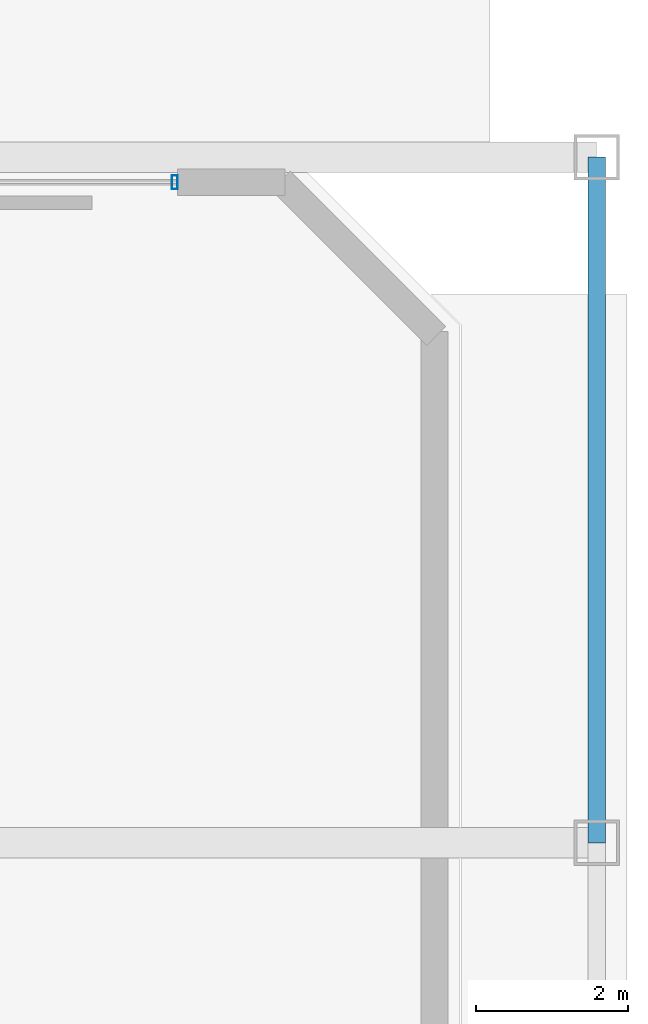
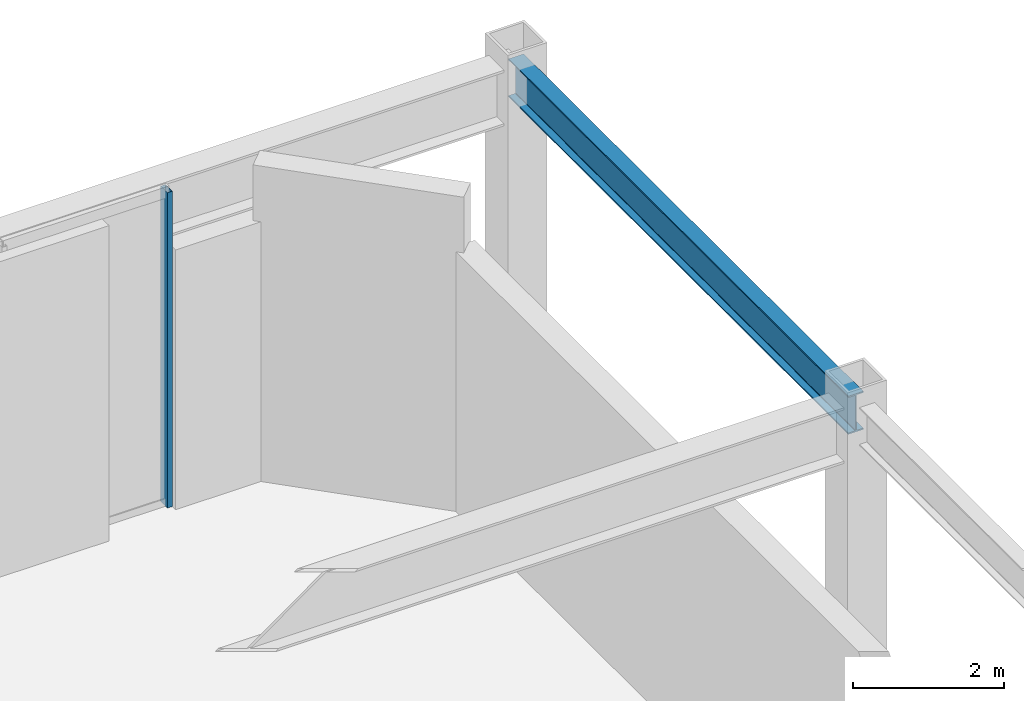
# One storey, part 14 of 23: 1 beam, 1 member, 1 element without a shape of its own.
"""IFC4 building model written with IfcOpenShell, lengths in metres."""

from ifc_helpers import new_model, si_unit, direction, frame, origin, origin_2d, place, context, subcontext, project, spatial, hollow_rectangle, i_section, extrude, material, material_profile, profile_set, type_object, element, aggregate, save


model = new_model("IFC4")

# Units and contexts
model_context = context("Model", 3, precision=1e-05, world=origin(), true_north=direction((0.0, 1.0)))
body_context = subcontext(model_context, "Body", "Model", "MODEL_VIEW")
ifc_project = project(units=[si_unit("LENGTHUNIT", "METRE"), si_unit("AREAUNIT", "SQUARE_METRE"), si_unit("VOLUMEUNIT", "CUBIC_METRE"), si_unit("PLANEANGLEUNIT", "RADIAN"), si_unit("MASSUNIT", "GRAM", prefix="KILO")], contexts=[model_context])

# Site, building, storey
site_placement = place(None, origin())
site = spatial("IfcSite", under=ifc_project, at=site_placement, CompositionType="ELEMENT")
building_placement = place(site_placement, origin())
building = spatial("IfcBuilding", under=site, at=building_placement, Name="Ventersveld Concourse Tower", CompositionType="ELEMENT")
storey_placement = place(building_placement, origin())
storey = spatial("IfcBuildingStorey", under=building, at=storey_placement, Name="L00", CompositionType="ELEMENT", Elevation=0.0)

# Curtain wall, member
ifc_material_1 = material(Name="Anodised aluminium EN AW-6063-T6", Category="aluminium")
curtain_wall_type = type_object("IfcCurtainWallType", Name="CW-CONC-1", PredefinedType="NOTDEFINED", material=ifc_material_1)
curtain_wall_placement = place(storey_placement, origin())
curtain_wall = element("IfcCurtainWall", 1, at=curtain_wall_placement, inside=storey, type_object=curtain_wall_type, Name="L00 Station Concourse North Storefront 5", PredefinedType="NOTDEFINED")
ifc_material_profile_1 = material_profile(ifc_material_1, hollow_rectangle(XDim=0.074951171875, YDim=0.179931640625, WallThickness=0.00390625, at=origin_2d()), Name="ALU 180x75x4")
ifc_profile_set_1 = profile_set([ifc_material_profile_1], Name="Anodised aluminium EN AW-6063-T6")
member_type = type_object("IfcMemberType", Name="CWM-180x75", PredefinedType="MULLION", material=ifc_profile_set_1)
member_placement = place(storey_placement, frame((62.4599609375, 43.669921875, 0.0), z_axis=(0.0, 0.0, 1.0), x_axis=(1.0, 0.0, 0.0)))
member = element("IfcMember", 2, at=member_placement, type_object=member_type, Name="CW-L00-N5 Mullion 04", PredefinedType="MULLION", context=body_context, shape_type="SweptSolid", body=[
    extrude(hollow_rectangle(XDim=0.074951171875, YDim=0.179931640625, WallThickness=0.00390625, at=origin_2d()), origin(), (0.0, 0.0, 1.0), 5.10009765625),
])
aggregate(curtain_wall, [member])

# Beam
ifc_material_2 = material(Name="Structural steel S355J2", Category="steel")
ifc_material_profile_2 = material_profile(ifc_material_2, i_section(OverallWidth=0.230224609375, OverallDepth=0.6171875, WebThickness=0.01318359375, FlangeThickness=0.022216796875, FilletRadius=0.0126953125, at=origin_2d()), Name="UB 610x229x140")
ifc_profile_set_2 = profile_set([ifc_material_profile_2], Name="Structural steel S355J2")
beam_type = type_object("IfcBeamType", Name="GRD-UB610", PredefinedType="USERDEFINED", material=ifc_profile_set_2)
beam_placement = place(storey_placement, frame((68.0, 35.0, 4.79150390625), z_axis=(0.0, 1.0, 0.0), x_axis=(-1.0, 0.0, 0.0)))
element("IfcBeam", 3, at=beam_placement, inside=storey, type_object=beam_type, Name="L00 Podium N-S Girder X=68.00m", ObjectType="GIRDER", PredefinedType="USERDEFINED", context=body_context, shape_type="SweptSolid", body=[
    extrude(i_section(OverallWidth=0.230224609375, OverallDepth=0.6171875, WebThickness=0.01318359375, FlangeThickness=0.022216796875, FilletRadius=0.0126953125, at=origin_2d()), origin(), (0.0, 0.0, 1.0), 9.0),
])

save(model, "model.ifc")
